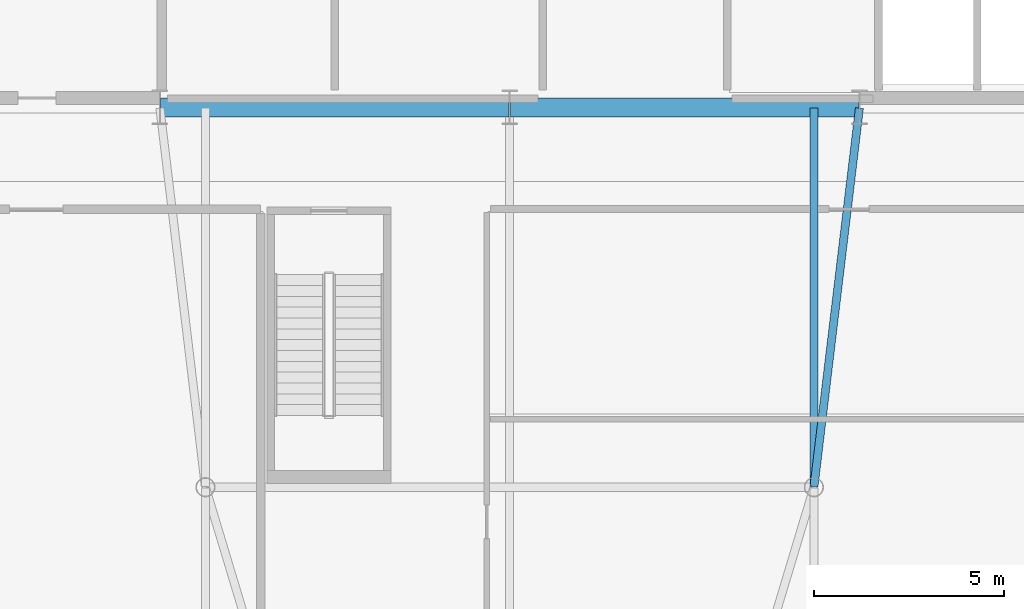
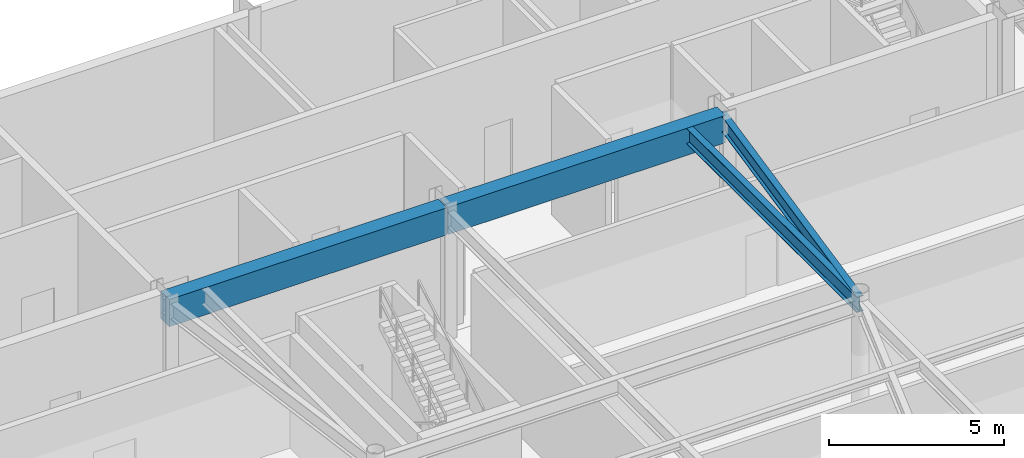
# One storey, part 12 of 21: 4 beams.
"""IFC4 building model written with IfcOpenShell, lengths in metres."""

from ifc_helpers import new_model, si_unit, direction, frame, origin, origin_2d, place, context, subcontext, project, spatial, rectangle, i_section, extrude, source, transform, mapped, material, material_profile, profile_set, type_object, type_shapes, element, save


model = new_model("IFC4")

# Units and contexts
model_context = context("Model", 3, precision=1e-05, world=origin(), true_north=direction((0.0, 1.0)))
body_context = subcontext(model_context, "Body", "Model", "MODEL_VIEW")
ifc_project = project(units=[si_unit("LENGTHUNIT", "METRE"), si_unit("AREAUNIT", "SQUARE_METRE"), si_unit("VOLUMEUNIT", "CUBIC_METRE"), si_unit("PLANEANGLEUNIT", "RADIAN"), si_unit("MASSUNIT", "GRAM", prefix="KILO")], contexts=[model_context])

# Site, building, storey
site_placement = place(None, origin())
site = spatial("IfcSite", under=ifc_project, at=site_placement, CompositionType="ELEMENT")
building_placement = place(site_placement, origin())
building = spatial("IfcBuilding", under=site, at=building_placement, Name="Varnel Quay Broadcast Tower", CompositionType="ELEMENT")
storey_placement = place(building_placement, frame((0.0, 0.0, 300.199951171875)))
storey = spatial("IfcBuildingStorey", under=building, at=storey_placement, Name="L75", CompositionType="ELEMENT", Elevation=300.199951171875)

# Beams
ifc_material_1 = material(Name="Concrete CSA A23.3 C50/60", Category="concrete")
ifc_material_profile_1 = material_profile(ifc_material_1, rectangle(XDim=0.5, YDim=0.949951171875, at=origin_2d()), Name="RC500X950")
ifc_profile_set_1 = profile_set([ifc_material_profile_1], Name="Concrete CSA A23.3 C50/60")
beam_type_1 = type_object("IfcBeamType", Name="Beam_RC500X950", PredefinedType="BEAM", material=ifc_profile_set_1)
shared_shape_1 = source(origin(), body_context, "Body", "SweptSolid", [
    extrude(rectangle(XDim=0.5, YDim=0.949951171875, at=origin_2d()), origin(), (0.0, 0.0, 1.0), 9.159912109375),
])
type_shapes(beam_type_1, [shared_shape_1])
for number, where, z_axis, x_axis, name in (
    (1, (24.820068359375, 35.60009765625, 4.045166015625), (1.0, 0.0, 0.0), (0.0, 1.0, 0.0), "L75 Core Coupling Beam W"),
    (2, (34.02001953125, 35.60009765625, 4.045166015625), (1.0, 0.0, 0.0), (0.0, 1.0, 0.0), "L75 Core Coupling Beam E"),
):
    element("IfcBeam", number, at=place(storey_placement, frame(where, z_axis=z_axis, x_axis=x_axis)), inside=storey, type_object=beam_type_1, Name=name, PredefinedType="BEAM", context=body_context, shape_type="MappedRepresentation", body=[
        mapped(shared_shape_1, transform((0.0, 0.0, 0.0), x_axis=(1.0, 0.0, 0.0), y_axis=(0.0, 1.0, 0.0), z_axis=(0.0, 0.0, 1.0), scale=1.0)),
    ])
ifc_material_2 = material(Name="Structural Steel CSA G40.21 350W", Category="steel")
ifc_material_profile_2 = material_profile(ifc_material_2, i_section(OverallWidth=0.2119140625, OverallDepth=0.5439453125, WebThickness=0.01318359375, FlangeThickness=0.021240234375, FilletRadius=0.013916015625, at=origin_2d()), Name="W530X123")
ifc_profile_set_2 = profile_set([ifc_material_profile_2], Name="Structural Steel CSA G40.21 350W")
beam_type_2 = type_object("IfcBeamType", Name="Girder_W530X123", PredefinedType="BEAM", material=ifc_profile_set_2)
shared_shape_2 = source(origin(), body_context, "Body", "SweptSolid", [
    extrude(i_section(OverallWidth=0.2119140625, OverallDepth=0.5439453125, WebThickness=0.01318359375, FlangeThickness=0.021240234375, FilletRadius=0.013916015625, at=origin_2d()), origin(), (0.0, 0.0, 1.0), 10.021728515625),
])
beam_1_placement = place(storey_placement, frame((42.00244140625, 25.6298828125, 4.248046875), z_axis=(0.119248005741, 0.992864498875, 0.0), x_axis=(-0.992864498875, 0.119248005741, 0.0)))
element("IfcBeam", 3, at=beam_1_placement, inside=storey, type_object=beam_type_2, Name="L75 Primary Girder IC-02-CC-S4", PredefinedType="BEAM", context=body_context, shape_type="MappedRepresentation", body=[
    mapped(shared_shape_2, transform((0.0, 0.0, 0.0), x_axis=(1.0, 0.0, 0.0), y_axis=(0.0, 1.0, 0.0), z_axis=(0.0, 0.0, 1.0), scale=1.0)),
])
shared_shape_3 = source(origin(), body_context, "Body", "SweptSolid", [
    extrude(i_section(OverallWidth=0.2119140625, OverallDepth=0.5439453125, WebThickness=0.01318359375, FlangeThickness=0.021240234375, FilletRadius=0.013916015625, at=origin_2d()), origin(), (0.0, 0.0, 1.0), 9.9501953125),
])
type_shapes(beam_type_2, [shared_shape_2, shared_shape_3])
beam_2_placement = place(storey_placement, frame((42.0, 25.6298828125, 4.248046875), z_axis=(0.0, 1.0, 0.0), x_axis=(-1.0, 0.0, 0.0)))
element("IfcBeam", 4, at=beam_2_placement, inside=storey, type_object=beam_type_2, Name="L75 N-S Joist Header IC-02N", PredefinedType="BEAM", context=body_context, shape_type="MappedRepresentation", body=[
    mapped(shared_shape_3, transform((0.0, 0.0, 0.0), x_axis=(1.0, 0.0, 0.0), y_axis=(0.0, 1.0, 0.0), z_axis=(0.0, 0.0, 1.0), scale=1.0)),
])

save(model, "model.ifc")
